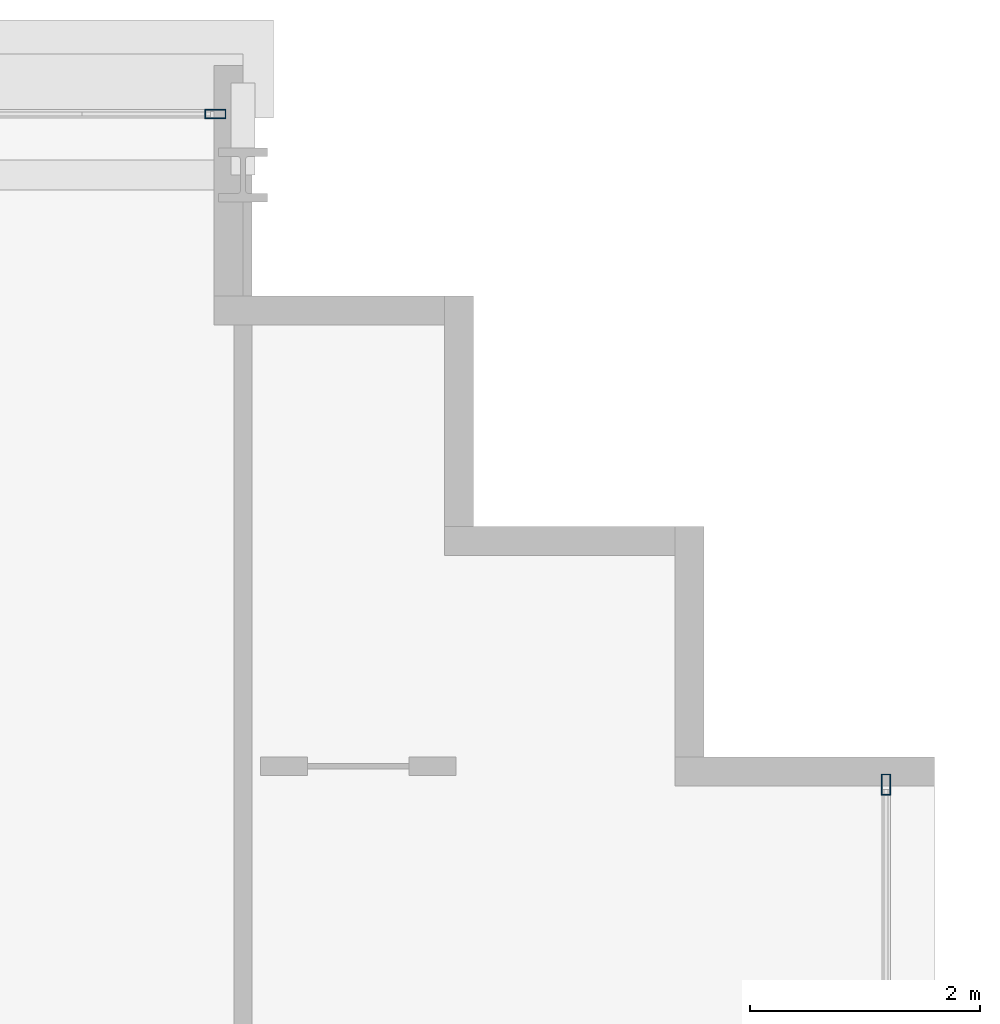
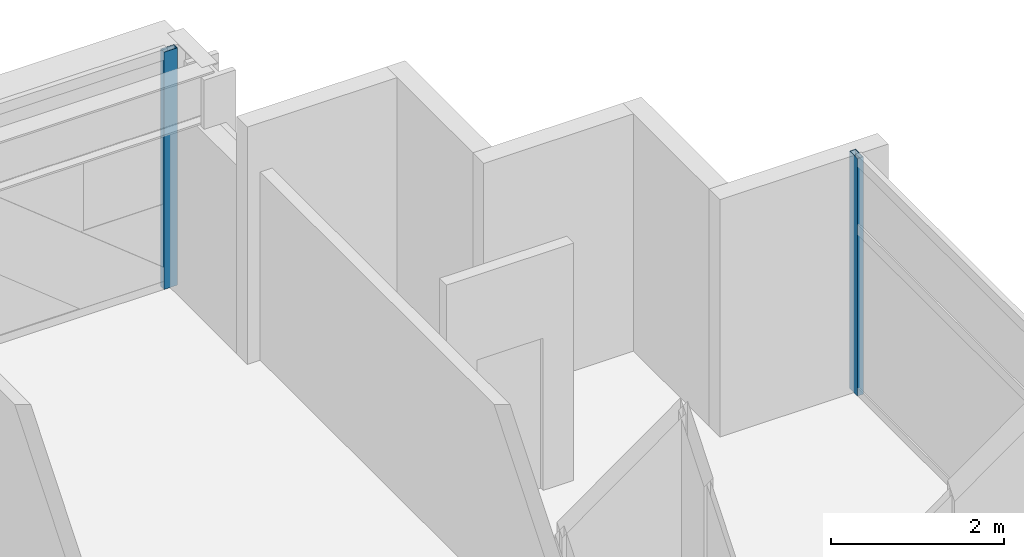
# One storey, part 22 of 35: 2 members, 2 elements without a shape of their own.
"""IFC4 building model written with IfcOpenShell, lengths in metres."""

from ifc_helpers import new_model, si_unit, direction, frame, origin, origin_2d, place, context, subcontext, project, spatial, hollow_rectangle, extrude, source, transform, mapped, material, layer, layer_set, material_profile, profile_set, type_object, element, aggregate, save


model = new_model("IFC4")

# Units and contexts
model_context = context("Model", 3, precision=1e-05, world=origin(), true_north=direction((0.0, 1.0)))
body_context = subcontext(model_context, "Body", "Model", "MODEL_VIEW")
ifc_project = project(units=[si_unit("LENGTHUNIT", "METRE"), si_unit("AREAUNIT", "SQUARE_METRE"), si_unit("VOLUMEUNIT", "CUBIC_METRE"), si_unit("PLANEANGLEUNIT", "RADIAN"), si_unit("MASSUNIT", "GRAM", prefix="KILO")], contexts=[model_context])

# Site, building, storey
site_placement = place(None, origin())
site = spatial("IfcSite", under=ifc_project, at=site_placement, CompositionType="ELEMENT")
building_placement = place(site_placement, origin())
building = spatial("IfcBuilding", under=site, at=building_placement, Name="Ocotamira Hotel", CompositionType="ELEMENT")
storey_placement = place(building_placement, frame((0.0, 0.0, 70.800048828125)))
storey = spatial("IfcBuildingStorey", under=building, at=storey_placement, Name="L17", CompositionType="ELEMENT", Elevation=70.800048828125)

# Curtain wall, member
ifc_material_1 = material(Name="Anodised pale-metal aluminium and solar glass", Category="aluminium")
ifc_layer = layer(ifc_material_1, 0.179931640625)
ifc_layer_set = layer_set([ifc_layer], Name="Anodised pale-metal aluminium and solar glass")
curtain_wall_type = type_object("IfcCurtainWallType", Name="CW-SYS2-Z1", PredefinedType="NOTDEFINED", material=ifc_layer_set)
curtain_wall_1_placement = place(storey_placement, origin())
curtain_wall_1 = element("IfcCurtainWall", 1, at=curtain_wall_1_placement, inside=storey, type_object=curtain_wall_type, Name="L17 Curtain Wall CW-2 CW-L17-N", PredefinedType="NOTDEFINED")
ifc_material_2 = material(Name="Anodised pale-metal aluminium 6063-T6", Category="aluminium")
ifc_material_profile = material_profile(ifc_material_2, hollow_rectangle(XDim=0.080078125, YDim=0.179931640625, WallThickness=0.006103515625, at=origin_2d()), Name="HSS180X80X6")
ifc_profile_set = profile_set([ifc_material_profile], Name="Anodised pale-metal aluminium 6063-T6")
member_type = type_object("IfcMemberType", Name="CWM-180X75", PredefinedType="MULLION", material=ifc_profile_set)
shared_shape = source(origin(), body_context, "Body", "SweptSolid", [
    extrude(hollow_rectangle(XDim=0.080078125, YDim=0.179931640625, WallThickness=0.006103515625, at=origin_2d()), origin(), (0.0, 0.0, 1.0), 3.349853515625),
])
member_1_placement = place(storey_placement, frame((49.760009765625, 49.580078125, 0.0), z_axis=(0.0, 0.0, 1.0), x_axis=(0.0, 1.0, 0.0)))
member_1 = element("IfcMember", 2, at=member_1_placement, type_object=member_type, Name="CW-2 mullion 10", PredefinedType="MULLION", context=body_context, shape_type="MappedRepresentation", body=[
    mapped(shared_shape, transform((0.0, 0.0, 0.0), scale=1.0)),
])
aggregate(curtain_wall_1, [member_1])

curtain_wall_2_placement = place(storey_placement, origin())
curtain_wall_2 = element("IfcCurtainWall", 3, at=curtain_wall_2_placement, inside=storey, type_object=curtain_wall_type, Name="L17 Curtain Wall CW-2 CW-L17-E", PredefinedType="NOTDEFINED")
member_2_placement = place(storey_placement, frame((55.580078125, 43.760009765625, 0.0), z_axis=(0.0, 0.0, 1.0), x_axis=(-1.0, 0.0, 0.0)))
member_2 = element("IfcMember", 4, at=member_2_placement, type_object=member_type, Name="CW-2 mullion 8", PredefinedType="MULLION", context=body_context, shape_type="MappedRepresentation", body=[
    mapped(shared_shape, transform((0.0, 0.0, 0.0), scale=1.0)),
])
aggregate(curtain_wall_2, [member_2])

save(model, "model.ifc")
